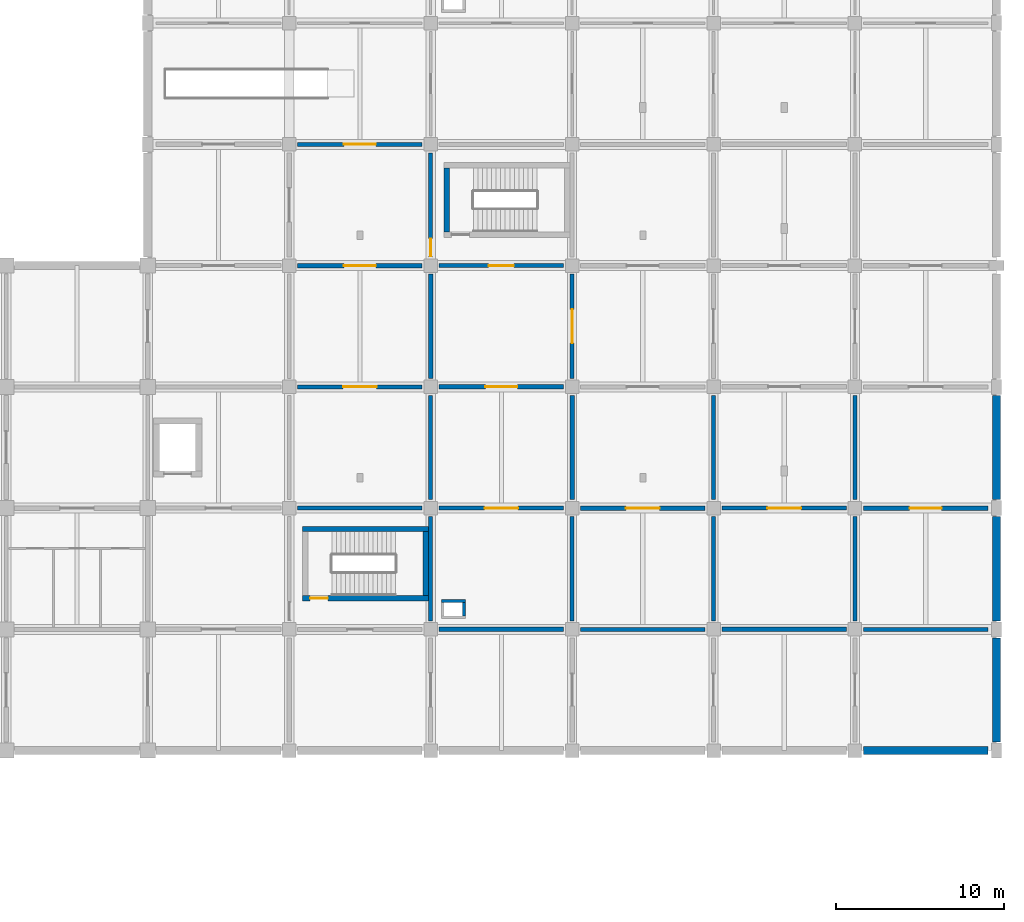
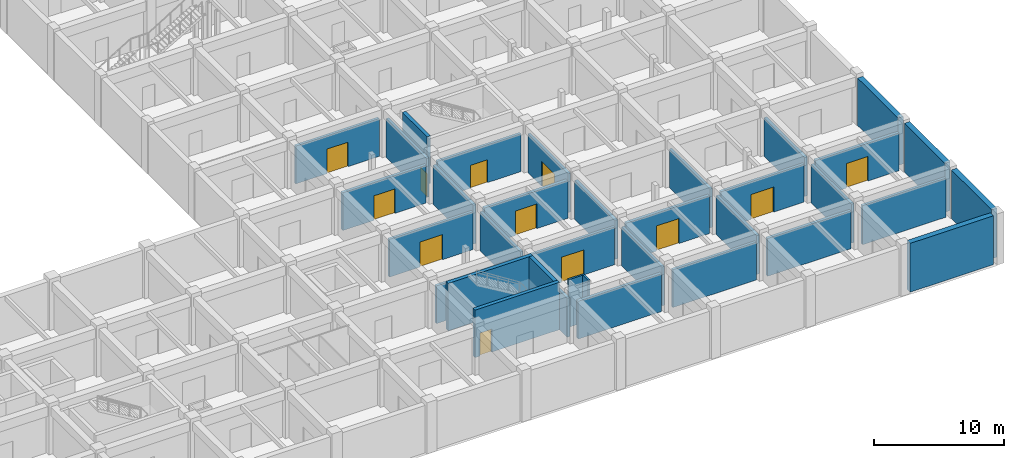
# One storey, part 26 of 32: 35 walls, 12 doors, 12 openings.
"""IFC4 building model written with IfcOpenShell, lengths in metres."""

from ifc_helpers import new_model, si_unit, derived_unit, direction, frame, frame_2d, origin, place, context, subcontext, project, spatial, rectangle, extrude, material, layer, layer_set, type_object, element, fill, save


model = new_model("IFC4")

# Units and contexts
model_context = context("Model", 3, precision=1e-05, world=origin(), true_north=direction((0.0, 1.0)))
body_context = subcontext(model_context, "Body", "Model", "MODEL_VIEW")
ifc_project = project(units=[si_unit("LENGTHUNIT", "METRE"), si_unit("AREAUNIT", "SQUARE_METRE"), si_unit("VOLUMEUNIT", "CUBIC_METRE"), si_unit("PLANEANGLEUNIT", "RADIAN"), si_unit("MASSUNIT", "GRAM", prefix="KILO"), derived_unit("THERMALTRANSMITTANCEUNIT", [(si_unit("MASSUNIT", "GRAM", prefix="KILO"), 1), (si_unit("TIMEUNIT", "SECOND"), -3), (si_unit("THERMODYNAMICTEMPERATUREUNIT", "KELVIN"), -1)])], contexts=[model_context])

# Site, building, storey
site_placement = place(None, origin())
site = spatial("IfcSite", under=ifc_project, at=site_placement, CompositionType="ELEMENT")
building_placement = place(site_placement, origin())
building = spatial("IfcBuilding", under=site, at=building_placement, Name="Veldstrom Oceanarium and Marine Research Institute", CompositionType="ELEMENT")
storey_placement = place(building_placement, frame((0.0, 0.0, -4.800048828125)))
storey = spatial("IfcBuildingStorey", under=building, at=storey_placement, Name="B01", CompositionType="ELEMENT", Elevation=-4.800048828125)

# Walls
ifc_material_1 = material(Name="Masonry Fire Compartment Wall", Category="masonry")
ifc_layer_1 = layer(ifc_material_1, 0.22998046875)
ifc_layer_set_1 = layer_set([ifc_layer_1], Name="ARC-WAL-PT1")
wall_type_1 = type_object("IfcWallType", Name="ARC-WAL-PT1", PredefinedType="PARTITIONING", material=ifc_layer_set_1)
wall_1_placement = place(storey_placement, frame((134.39990234375, 50.89990234375, 0.0), z_axis=(0.0, 0.0, 1.0), x_axis=(0.0, 1.0, 0.0)))
element("IfcWall", 1, at=wall_1_placement, inside=storey, type_object=wall_type_1, Name="Interior Partition PT1 B01-0484", PredefinedType="PARTITIONING", context=body_context, shape_type="SweptSolid", body=[
    extrude(rectangle(XDim=6.2001953125, YDim=0.22998046875, at=frame_2d((3.10009765625, 0.0))), origin(), (0.0, 0.0, 1.0), 3.64501953125),
])
wall_2_placement = place(storey_placement, frame((126.5, 57.60009765625, 0.0), z_axis=(0.0, 0.0, 1.0), x_axis=(1.0, 0.0, 0.0)))
element("IfcWall", 2, at=wall_2_placement, inside=storey, type_object=wall_type_1, Name="Interior Partition PT1 B01-0485", PredefinedType="PARTITIONING", context=body_context, shape_type="SweptSolid", body=[
    extrude(rectangle(XDim=7.39990234375, YDim=0.22998046875, at=frame_2d((3.699951171875, 0.0))), origin(), (0.0, 0.0, 1.0), 3.545166015625),
])
wall_3_placement = place(storey_placement, frame((134.39990234375, 58.10009765625, 0.0), z_axis=(0.0, 0.0, 1.0), x_axis=(0.0, 1.0, 0.0)))
element("IfcWall", 3, at=wall_3_placement, inside=storey, type_object=wall_type_1, Name="Interior Partition PT1 B01-0486", PredefinedType="PARTITIONING", context=body_context, shape_type="SweptSolid", body=[
    extrude(rectangle(XDim=6.199951171875, YDim=0.22998046875, at=frame_2d((3.10009765625, 0.0))), origin(), (0.0, 0.0, 1.0), 3.64501953125),
])

# Wall, opening, door
wall_4_placement = place(storey_placement, frame((126.5, 64.800048828125, 0.0), z_axis=(0.0, 0.0, 1.0), x_axis=(1.0, 0.0, 0.0)))
wall_4 = element("IfcWall", 4, at=wall_4_placement, inside=storey, type_object=wall_type_1, Name="Interior Partition PT1 B01-0487", PredefinedType="PARTITIONING", context=body_context, shape_type="SweptSolid", body=[
    extrude(rectangle(XDim=7.39990234375, YDim=0.22998046875, at=frame_2d((3.699951171875, 0.0))), origin(), (0.0, 0.0, 1.0), 3.545166015625),
])
opening_1_placement = place(wall_4_placement, frame((2.699951171875, 0.0, 0.0)))
opening_1 = element("IfcOpeningElement", 5, at=opening_1_placement, cuts=wall_4, Name="Opening D-B01-283", PredefinedType="OPENING", context=body_context, shape_type="SweptSolid", body=[
    extrude(rectangle(XDim=2.0, YDim=2.35009765625, at=frame_2d((1.0, 1.175048828125))), frame((0.0, 0.125, 0.0), z_axis=(0.0, -1.0, 0.0), x_axis=(1.0, 0.0, 0.0)), (0.0, 0.0, 1.0), 0.25),
])
ifc_material_2 = material(Name="Filtration Hall Double Door", Category="steel")
door_type_1 = type_object("IfcDoorType", Name="ARC-DOR-ID18", OperationType="DOUBLE_DOOR_SINGLE_SWING", PredefinedType="DOOR", material=ifc_material_2)
door_1_placement = place(opening_1_placement, origin())
door_1 = element("IfcDoor", 6, at=door_1_placement, inside=storey, type_object=door_type_1, Name="Interior Door D-B01-283", OperationType="DOUBLE_DOOR_SINGLE_SWING", OverallHeight=2.35009765625, OverallWidth=2.0, PredefinedType="DOOR", context=body_context, shape_type="SweptSolid", body=[
    extrude(rectangle(XDim=2.0, YDim=2.35009765625, at=frame_2d((1.0, 1.175048828125))), frame((0.0, 0.02490234375, 0.0), z_axis=(0.0, -1.0, 0.0), x_axis=(1.0, 0.0, 0.0)), (0.0, 0.0, 1.0), 0.050048828125),
])
fill(opening_1, door_1)

wall_5_placement = place(storey_placement, frame((134.39990234375, 72.5, 0.0), z_axis=(0.0, 0.0, 1.0), x_axis=(0.0, 1.0, 0.0)))
wall_5 = element("IfcWall", 7, at=wall_5_placement, inside=storey, type_object=wall_type_1, Name="Interior Partition PT1 B01-0490", PredefinedType="PARTITIONING", context=body_context, shape_type="SweptSolid", body=[
    extrude(rectangle(XDim=6.199951171875, YDim=0.22998046875, at=frame_2d((3.10009765625, 0.0))), origin(), (0.0, 0.0, 1.0), 3.64501953125),
])
opening_2_placement = place(wall_5_placement, frame((0.050048828125, 0.0, 0.0)))
opening_2 = element("IfcOpeningElement", 8, at=opening_2_placement, cuts=wall_5, Name="Opening D-B01-285", PredefinedType="OPENING", context=body_context, shape_type="SweptSolid", body=[
    extrude(rectangle(XDim=1.050048828125, YDim=2.14990234375, at=frame_2d((0.52490234375, 1.074951171875))), frame((0.0, 0.125, 0.0), z_axis=(0.0, -1.0, 0.0), x_axis=(1.0, 0.0, 0.0)), (0.0, 0.0, 1.0), 0.25),
])
ifc_material_3 = material(Name="Painted Steel Fire Door", Category="steel")
door_type_2 = type_object("IfcDoorType", Name="ARC-DOR-SD1", OperationType="SINGLE_SWING_LEFT", PredefinedType="DOOR", material=ifc_material_3)
door_2_placement = place(opening_2_placement, origin())
door_2 = element("IfcDoor", 9, at=door_2_placement, inside=storey, type_object=door_type_2, Name="Interior Door D-B01-285", OperationType="SINGLE_SWING_LEFT", OverallHeight=2.14990234375, OverallWidth=1.050048828125, PredefinedType="DOOR", context=body_context, shape_type="SweptSolid", body=[
    extrude(rectangle(XDim=1.050048828125, YDim=2.14990234375, at=frame_2d((0.52490234375, 1.074951171875))), frame((0.0, 0.02490234375, 0.0), z_axis=(0.0, -1.0, 0.0), x_axis=(1.0, 0.0, 0.0)), (0.0, 0.0, 1.0), 0.050048828125),
])
fill(opening_2, door_2)

wall_6_placement = place(storey_placement, frame((126.5, 79.199951171875, 0.0), z_axis=(0.0, 0.0, 1.0), x_axis=(1.0, 0.0, 0.0)))
wall_6 = element("IfcWall", 10, at=wall_6_placement, inside=storey, type_object=wall_type_1, Name="Interior Partition PT1 B01-0491", PredefinedType="PARTITIONING", context=body_context, shape_type="SweptSolid", body=[
    extrude(rectangle(XDim=7.39990234375, YDim=0.22998046875, at=frame_2d((3.699951171875, 0.0))), origin(), (0.0, 0.0, 1.0), 3.545166015625),
])
opening_3_placement = place(wall_6_placement, frame((2.75, 0.0, 0.0)))
opening_3 = element("IfcOpeningElement", 11, at=opening_3_placement, cuts=wall_6, Name="Opening D-B01-286", PredefinedType="OPENING", context=body_context, shape_type="SweptSolid", body=[
    extrude(rectangle(XDim=1.89990234375, YDim=2.300048828125, at=frame_2d((0.949951171875, 1.14990234375))), frame((0.0, 0.125, 0.0), z_axis=(0.0, -1.0, 0.0), x_axis=(1.0, 0.0, 0.0)), (0.0, 0.0, 1.0), 0.25),
])
ifc_material_4 = material(Name="Plant Hall Equipment Door", Category="steel")
door_type_3 = type_object("IfcDoorType", Name="ARC-DOR-ID12", OperationType="DOUBLE_DOOR_SINGLE_SWING", PredefinedType="DOOR", material=ifc_material_4)
door_3_placement = place(opening_3_placement, origin())
door_3 = element("IfcDoor", 12, at=door_3_placement, inside=storey, type_object=door_type_3, Name="Interior Door D-B01-286", OperationType="DOUBLE_DOOR_SINGLE_SWING", OverallHeight=2.300048828125, OverallWidth=1.89990234375, PredefinedType="DOOR", context=body_context, shape_type="SweptSolid", body=[
    extrude(rectangle(XDim=1.89990234375, YDim=2.300048828125, at=frame_2d((0.949951171875, 1.14990234375))), frame((0.0, 0.02490234375, 0.0), z_axis=(0.0, -1.0, 0.0), x_axis=(1.0, 0.0, 0.0)), (0.0, 0.0, 1.0), 0.050048828125),
])
fill(opening_3, door_3)

# Wall
wall_7_placement = place(storey_placement, frame((142.800048828125, 50.89990234375, 0.0), z_axis=(0.0, 0.0, 1.0), x_axis=(0.0, 1.0, 0.0)))
element("IfcWall", 13, at=wall_7_placement, inside=storey, type_object=wall_type_1, Name="Interior Partition PT1 B01-0503", PredefinedType="PARTITIONING", context=body_context, shape_type="SweptSolid", body=[
    extrude(rectangle(XDim=6.2001953125, YDim=0.22998046875, at=frame_2d((3.10009765625, 0.0))), origin(), (0.0, 0.0, 1.0), 3.64501953125),
])

# Wall, opening, door
wall_8_placement = place(storey_placement, frame((134.89990234375, 57.60009765625, 0.0), z_axis=(0.0, 0.0, 1.0), x_axis=(1.0, 0.0, 0.0)))
wall_8 = element("IfcWall", 14, at=wall_8_placement, inside=storey, type_object=wall_type_1, Name="Interior Partition PT1 B01-0504", PredefinedType="PARTITIONING", context=body_context, shape_type="SweptSolid", body=[
    extrude(rectangle(XDim=7.400146484375, YDim=0.22998046875, at=frame_2d((3.7001953125, 0.0))), origin(), (0.0, 0.0, 1.0), 3.545166015625),
])
opening_4_placement = place(wall_8_placement, frame((2.699951171875, 0.0, 0.0)))
opening_4 = element("IfcOpeningElement", 15, at=opening_4_placement, cuts=wall_8, Name="Opening D-B01-293", PredefinedType="OPENING", context=body_context, shape_type="SweptSolid", body=[
    extrude(rectangle(XDim=2.0, YDim=2.35009765625, at=frame_2d((1.0, 1.175048828125))), frame((0.0, 0.125, 0.0), z_axis=(0.0, -1.0, 0.0), x_axis=(1.0, 0.0, 0.0)), (0.0, 0.0, 1.0), 0.25),
])
door_4_placement = place(opening_4_placement, origin())
door_4 = element("IfcDoor", 16, at=door_4_placement, inside=storey, type_object=door_type_1, Name="Interior Door D-B01-293", OperationType="DOUBLE_DOOR_SINGLE_SWING", OverallHeight=2.35009765625, OverallWidth=2.0, PredefinedType="DOOR", context=body_context, shape_type="SweptSolid", body=[
    extrude(rectangle(XDim=2.0, YDim=2.35009765625, at=frame_2d((1.0, 1.175048828125))), frame((0.0, 0.02490234375, 0.0), z_axis=(0.0, -1.0, 0.0), x_axis=(1.0, 0.0, 0.0)), (0.0, 0.0, 1.0), 0.050048828125),
])
fill(opening_4, door_4)

wall_9_placement = place(storey_placement, frame((142.800048828125, 65.300048828125, 0.0), z_axis=(0.0, 0.0, 1.0), x_axis=(0.0, 1.0, 0.0)))
wall_9 = element("IfcWall", 17, at=wall_9_placement, inside=storey, type_object=wall_type_1, Name="Interior Partition PT1 B01-0507", PredefinedType="PARTITIONING", context=body_context, shape_type="SweptSolid", body=[
    extrude(rectangle(XDim=6.199951171875, YDim=0.22998046875, at=frame_2d((3.10009765625, 0.0))), origin(), (0.0, 0.0, 1.0), 3.64501953125),
])
opening_5_placement = place(wall_9_placement, frame((2.10009765625, 0.0, 0.0)))
opening_5 = element("IfcOpeningElement", 18, at=opening_5_placement, cuts=wall_9, Name="Opening D-B01-295", PredefinedType="OPENING", context=body_context, shape_type="SweptSolid", body=[
    extrude(rectangle(XDim=2.0, YDim=2.35009765625, at=frame_2d((1.0, 1.175048828125))), frame((0.0, 0.125, 0.0), z_axis=(0.0, -1.0, 0.0), x_axis=(1.0, 0.0, 0.0)), (0.0, 0.0, 1.0), 0.25),
])
door_5_placement = place(opening_5_placement, frame((2.0, 0.0, 0.0), z_axis=(0.0, 0.0, 1.0), x_axis=(-1.0, 0.0, 0.0)))
door_5 = element("IfcDoor", 19, at=door_5_placement, inside=storey, type_object=door_type_1, Name="Interior Door D-B01-295", OperationType="DOUBLE_DOOR_SINGLE_SWING", OverallHeight=2.35009765625, OverallWidth=2.0, PredefinedType="DOOR", context=body_context, shape_type="SweptSolid", body=[
    extrude(rectangle(XDim=2.0, YDim=2.35009765625, at=frame_2d((1.0, 1.175048828125))), frame((0.0, 0.02490234375, 0.0), z_axis=(0.0, -1.0, 0.0), x_axis=(1.0, 0.0, 0.0)), (0.0, 0.0, 1.0), 0.050048828125),
])
fill(opening_5, door_5)

wall_10_placement = place(storey_placement, frame((134.89990234375, 72.0, 0.0), z_axis=(0.0, 0.0, 1.0), x_axis=(1.0, 0.0, 0.0)))
wall_10 = element("IfcWall", 20, at=wall_10_placement, inside=storey, type_object=wall_type_1, Name="Interior Partition PT1 B01-0508", PredefinedType="PARTITIONING", context=body_context, shape_type="SweptSolid", body=[
    extrude(rectangle(XDim=7.400146484375, YDim=0.22998046875, at=frame_2d((3.7001953125, 0.0))), origin(), (0.0, 0.0, 1.0), 3.545166015625),
])
opening_6_placement = place(wall_10_placement, frame((2.949951171875, 0.0, 0.0)))
opening_6 = element("IfcOpeningElement", 21, at=opening_6_placement, cuts=wall_10, Name="Opening D-B01-296", PredefinedType="OPENING", context=body_context, shape_type="SweptSolid", body=[
    extrude(rectangle(XDim=1.5, YDim=2.14990234375, at=frame_2d((0.75, 1.074951171875))), frame((0.0, 0.125, 0.0), z_axis=(0.0, -1.0, 0.0), x_axis=(1.0, 0.0, 0.0)), (0.0, 0.0, 1.0), 0.25),
])
ifc_material_5 = material(Name="Painted Steel Lobby Fire Door", Category="steel")
door_type_4 = type_object("IfcDoorType", Name="ARC-DOR-SD2", OperationType="DOUBLE_DOOR_SINGLE_SWING", PredefinedType="DOOR", material=ifc_material_5)
door_6_placement = place(opening_6_placement, frame((1.5, 0.0, 0.0), z_axis=(0.0, 0.0, 1.0), x_axis=(-1.0, 0.0, 0.0)))
door_6 = element("IfcDoor", 22, at=door_6_placement, inside=storey, type_object=door_type_4, Name="Interior Door D-B01-296", OperationType="DOUBLE_DOOR_SINGLE_SWING", OverallHeight=2.14990234375, OverallWidth=1.5, PredefinedType="DOOR", context=body_context, shape_type="SweptSolid", body=[
    extrude(rectangle(XDim=1.5, YDim=2.14990234375, at=frame_2d((0.75, 1.074951171875))), frame((0.0, 0.02490234375, 0.0), z_axis=(0.0, -1.0, 0.0), x_axis=(1.0, 0.0, 0.0)), (0.0, 0.0, 1.0), 0.050048828125),
])
fill(opening_6, door_6)

# Walls
wall_11_placement = place(storey_placement, frame((143.300048828125, 50.39990234375, 0.0), z_axis=(0.0, 0.0, 1.0), x_axis=(1.0, 0.0, 0.0)))
element("IfcWall", 23, at=wall_11_placement, inside=storey, type_object=wall_type_1, Name="Interior Partition PT1 B01-0521", PredefinedType="PARTITIONING", context=body_context, shape_type="SweptSolid", body=[
    extrude(rectangle(XDim=7.39990234375, YDim=0.22998046875, at=frame_2d((3.699951171875, 0.0))), origin(), (0.0, 0.0, 1.0), 3.545166015625),
])
wall_12_placement = place(storey_placement, frame((151.199951171875, 58.10009765625, 0.0), z_axis=(0.0, 0.0, 1.0), x_axis=(0.0, 1.0, 0.0)))
element("IfcWall", 24, at=wall_12_placement, inside=storey, type_object=wall_type_1, Name="Interior Partition PT1 B01-0524", PredefinedType="PARTITIONING", context=body_context, shape_type="SweptSolid", body=[
    extrude(rectangle(XDim=6.199951171875, YDim=0.22998046875, at=frame_2d((3.10009765625, 0.0))), origin(), (0.0, 0.0, 1.0), 3.64501953125),
])
wall_13_placement = place(storey_placement, frame((159.60009765625, 50.89990234375, 0.0), z_axis=(0.0, 0.0, 1.0), x_axis=(0.0, 1.0, 0.0)))
element("IfcWall", 25, at=wall_13_placement, inside=storey, type_object=wall_type_1, Name="Interior Partition PT1 B01-0541", PredefinedType="PARTITIONING", context=body_context, shape_type="SweptSolid", body=[
    extrude(rectangle(XDim=6.2001953125, YDim=0.22998046875, at=frame_2d((3.10009765625, 0.0))), origin(), (0.0, 0.0, 1.0), 3.64501953125),
])

# Wall, opening, door
wall_14_placement = place(storey_placement, frame((151.699951171875, 57.60009765625, 0.0), z_axis=(0.0, 0.0, 1.0), x_axis=(1.0, 0.0, 0.0)))
wall_14 = element("IfcWall", 26, at=wall_14_placement, inside=storey, type_object=wall_type_1, Name="Interior Partition PT1 B01-0542", PredefinedType="PARTITIONING", context=body_context, shape_type="SweptSolid", body=[
    extrude(rectangle(XDim=7.400146484375, YDim=0.22998046875, at=frame_2d((3.7001953125, 0.0))), origin(), (0.0, 0.0, 1.0), 3.545166015625),
])
opening_7_placement = place(wall_14_placement, frame((2.699951171875, 0.0, 0.0)))
opening_7 = element("IfcOpeningElement", 27, at=opening_7_placement, cuts=wall_14, Name="Opening D-B01-313", PredefinedType="OPENING", context=body_context, shape_type="SweptSolid", body=[
    extrude(rectangle(XDim=2.0, YDim=2.35009765625, at=frame_2d((1.0, 1.175048828125))), frame((0.0, 0.125, 0.0), z_axis=(0.0, -1.0, 0.0), x_axis=(1.0, 0.0, 0.0)), (0.0, 0.0, 1.0), 0.25),
])
door_7_placement = place(opening_7_placement, origin())
door_7 = element("IfcDoor", 28, at=door_7_placement, inside=storey, type_object=door_type_1, Name="Interior Door D-B01-313", OperationType="DOUBLE_DOOR_SINGLE_SWING", OverallHeight=2.35009765625, OverallWidth=2.0, PredefinedType="DOOR", context=body_context, shape_type="SweptSolid", body=[
    extrude(rectangle(XDim=2.0, YDim=2.35009765625, at=frame_2d((1.0, 1.175048828125))), frame((0.0, 0.02490234375, 0.0), z_axis=(0.0, -1.0, 0.0), x_axis=(1.0, 0.0, 0.0)), (0.0, 0.0, 1.0), 0.050048828125),
])
fill(opening_7, door_7)

# Walls
wall_15_placement = place(storey_placement, frame((160.10009765625, 50.39990234375, 0.0), z_axis=(0.0, 0.0, 1.0), x_axis=(1.0, 0.0, 0.0)))
element("IfcWall", 29, at=wall_15_placement, inside=storey, type_object=wall_type_1, Name="Interior Partition PT1 B01-0557", PredefinedType="PARTITIONING", context=body_context, shape_type="SweptSolid", body=[
    extrude(rectangle(XDim=7.39990234375, YDim=0.22998046875, at=frame_2d((3.699951171875, 0.0))), origin(), (0.0, 0.0, 1.0), 3.670166015625),
])
ifc_material_6 = material(Name="Plant Acoustic Masonry Wall", Category="masonry")
ifc_layer_2 = layer(ifc_material_6, 0.260009765625)
ifc_layer_set_2 = layer_set([ifc_layer_2], Name="ARC-WAL-PT8")
wall_type_2 = type_object("IfcWallType", Name="ARC-WAL-PT8", PredefinedType="PARTITIONING", material=ifc_layer_set_2)
wall_16_placement = place(storey_placement, frame((134.39990234375, 65.300048828125, 0.0), z_axis=(0.0, 0.0, 1.0), x_axis=(0.0, 1.0, 0.0)))
element("IfcWall", 30, at=wall_16_placement, inside=storey, type_object=wall_type_2, Name="Interior Partition PT8 B01-0488", PredefinedType="PARTITIONING", context=body_context, shape_type="SweptSolid", body=[
    extrude(rectangle(XDim=6.199951171875, YDim=0.260009765625, at=frame_2d((3.10009765625, 0.0))), origin(), (0.0, 0.0, 1.0), 3.64501953125),
])

# Wall, opening, door
wall_17_placement = place(storey_placement, frame((126.5, 72.0, 0.0), z_axis=(0.0, 0.0, 1.0), x_axis=(1.0, 0.0, 0.0)))
wall_17 = element("IfcWall", 31, at=wall_17_placement, inside=storey, type_object=wall_type_2, Name="Interior Partition PT8 B01-0489", PredefinedType="PARTITIONING", context=body_context, shape_type="SweptSolid", body=[
    extrude(rectangle(XDim=7.39990234375, YDim=0.260009765625, at=frame_2d((3.699951171875, 0.0))), origin(), (0.0, 0.0, 1.0), 3.545166015625),
])
opening_8_placement = place(wall_17_placement, frame((2.75, 0.0, 0.0)))
opening_8 = element("IfcOpeningElement", 32, at=opening_8_placement, cuts=wall_17, Name="Opening D-B01-284", PredefinedType="OPENING", context=body_context, shape_type="SweptSolid", body=[
    extrude(rectangle(XDim=1.89990234375, YDim=2.300048828125, at=frame_2d((0.949951171875, 1.14990234375))), frame((0.0, 0.139892578125, 0.0), z_axis=(0.0, -1.0, 0.0), x_axis=(1.0, 0.0, 0.0)), (0.0, 0.0, 1.0), 0.280029296875),
])
door_8_placement = place(opening_8_placement, frame((1.89990234375, 0.0, 0.0), z_axis=(0.0, 0.0, 1.0), x_axis=(-1.0, 0.0, 0.0)))
door_8 = element("IfcDoor", 33, at=door_8_placement, inside=storey, type_object=door_type_3, Name="Interior Door D-B01-284", OperationType="DOUBLE_DOOR_SINGLE_SWING", OverallHeight=2.300048828125, OverallWidth=1.89990234375, PredefinedType="DOOR", context=body_context, shape_type="SweptSolid", body=[
    extrude(rectangle(XDim=1.89990234375, YDim=2.300048828125, at=frame_2d((0.949951171875, 1.14990234375))), frame((0.0, 0.02490234375, 0.0), z_axis=(0.0, -1.0, 0.0), x_axis=(1.0, 0.0, 0.0)), (0.0, 0.0, 1.0), 0.050048828125),
])
fill(opening_8, door_8)

# Walls
wall_18_placement = place(storey_placement, frame((134.89990234375, 50.39990234375, 0.0), z_axis=(0.0, 0.0, 1.0), x_axis=(1.0, 0.0, 0.0)))
element("IfcWall", 34, at=wall_18_placement, inside=storey, type_object=wall_type_2, Name="Interior Partition PT8 B01-0502", PredefinedType="PARTITIONING", context=body_context, shape_type="SweptSolid", body=[
    extrude(rectangle(XDim=7.400146484375, YDim=0.260009765625, at=frame_2d((3.7001953125, 0.0))), origin(), (0.0, 0.0, 1.0), 3.545166015625),
])
wall_19_placement = place(storey_placement, frame((142.800048828125, 58.10009765625, 0.0), z_axis=(0.0, 0.0, 1.0), x_axis=(0.0, 1.0, 0.0)))
element("IfcWall", 35, at=wall_19_placement, inside=storey, type_object=wall_type_2, Name="Interior Partition PT8 B01-0505", PredefinedType="PARTITIONING", context=body_context, shape_type="SweptSolid", body=[
    extrude(rectangle(XDim=6.199951171875, YDim=0.260009765625, at=frame_2d((3.10009765625, 0.0))), origin(), (0.0, 0.0, 1.0), 3.64501953125),
])

# Wall, opening, door
wall_20_placement = place(storey_placement, frame((134.89990234375, 64.800048828125, 0.0), z_axis=(0.0, 0.0, 1.0), x_axis=(1.0, 0.0, 0.0)))
wall_20 = element("IfcWall", 36, at=wall_20_placement, inside=storey, type_object=wall_type_2, Name="Interior Partition PT8 B01-0506", PredefinedType="PARTITIONING", context=body_context, shape_type="SweptSolid", body=[
    extrude(rectangle(XDim=7.400146484375, YDim=0.260009765625, at=frame_2d((3.7001953125, 0.0))), origin(), (0.0, 0.0, 1.0), 3.545166015625),
])
opening_9_placement = place(wall_20_placement, frame((2.75, 0.0, 0.0)))
opening_9 = element("IfcOpeningElement", 37, at=opening_9_placement, cuts=wall_20, Name="Opening D-B01-294", PredefinedType="OPENING", context=body_context, shape_type="SweptSolid", body=[
    extrude(rectangle(XDim=1.89990234375, YDim=2.300048828125, at=frame_2d((0.949951171875, 1.14990234375))), frame((0.0, 0.139892578125, 0.0), z_axis=(0.0, -1.0, 0.0), x_axis=(1.0, 0.0, 0.0)), (0.0, 0.0, 1.0), 0.280029296875),
])
door_9_placement = place(opening_9_placement, frame((1.89990234375, 0.0, 0.0), z_axis=(0.0, 0.0, 1.0), x_axis=(-1.0, 0.0, 0.0)))
door_9 = element("IfcDoor", 38, at=door_9_placement, inside=storey, type_object=door_type_3, Name="Interior Door D-B01-294", OperationType="DOUBLE_DOOR_SINGLE_SWING", OverallHeight=2.300048828125, OverallWidth=1.89990234375, PredefinedType="DOOR", context=body_context, shape_type="SweptSolid", body=[
    extrude(rectangle(XDim=1.89990234375, YDim=2.300048828125, at=frame_2d((0.949951171875, 1.14990234375))), frame((0.0, 0.02490234375, 0.0), z_axis=(0.0, -1.0, 0.0), x_axis=(1.0, 0.0, 0.0)), (0.0, 0.0, 1.0), 0.050048828125),
])
fill(opening_9, door_9)

# Wall
wall_21_placement = place(storey_placement, frame((151.199951171875, 50.89990234375, 0.0), z_axis=(0.0, 0.0, 1.0), x_axis=(0.0, 1.0, 0.0)))
element("IfcWall", 39, at=wall_21_placement, inside=storey, type_object=wall_type_2, Name="Interior Partition PT8 B01-0522", PredefinedType="PARTITIONING", context=body_context, shape_type="SweptSolid", body=[
    extrude(rectangle(XDim=6.2001953125, YDim=0.260009765625, at=frame_2d((3.10009765625, 0.0))), origin(), (0.0, 0.0, 1.0), 3.64501953125),
])

# Wall, opening, door
wall_22_placement = place(storey_placement, frame((143.300048828125, 57.60009765625, 0.0), z_axis=(0.0, 0.0, 1.0), x_axis=(1.0, 0.0, 0.0)))
wall_22 = element("IfcWall", 40, at=wall_22_placement, inside=storey, type_object=wall_type_2, Name="Interior Partition PT8 B01-0523", PredefinedType="PARTITIONING", context=body_context, shape_type="SweptSolid", body=[
    extrude(rectangle(XDim=7.39990234375, YDim=0.260009765625, at=frame_2d((3.699951171875, 0.0))), origin(), (0.0, 0.0, 1.0), 3.545166015625),
])
opening_10_placement = place(wall_22_placement, frame((2.699951171875, 0.0, 0.0)))
opening_10 = element("IfcOpeningElement", 41, at=opening_10_placement, cuts=wall_22, Name="Opening D-B01-303", PredefinedType="OPENING", context=body_context, shape_type="SweptSolid", body=[
    extrude(rectangle(XDim=2.0, YDim=2.35009765625, at=frame_2d((1.0, 1.175048828125))), frame((0.0, 0.139892578125, 0.0), z_axis=(0.0, -1.0, 0.0), x_axis=(1.0, 0.0, 0.0)), (0.0, 0.0, 1.0), 0.280029296875),
])
door_10_placement = place(opening_10_placement, frame((2.0, 0.0, 0.0), z_axis=(0.0, 0.0, 1.0), x_axis=(-1.0, 0.0, 0.0)))
door_10 = element("IfcDoor", 42, at=door_10_placement, inside=storey, type_object=door_type_1, Name="Interior Door D-B01-303", OperationType="DOUBLE_DOOR_SINGLE_SWING", OverallHeight=2.35009765625, OverallWidth=2.0, PredefinedType="DOOR", context=body_context, shape_type="SweptSolid", body=[
    extrude(rectangle(XDim=2.0, YDim=2.35009765625, at=frame_2d((1.0, 1.175048828125))), frame((0.0, 0.02490234375, 0.0), z_axis=(0.0, -1.0, 0.0), x_axis=(1.0, 0.0, 0.0)), (0.0, 0.0, 1.0), 0.050048828125),
])
fill(opening_10, door_10)

# Walls
wall_23_placement = place(storey_placement, frame((151.699951171875, 50.39990234375, 0.0), z_axis=(0.0, 0.0, 1.0), x_axis=(1.0, 0.0, 0.0)))
element("IfcWall", 43, at=wall_23_placement, inside=storey, type_object=wall_type_2, Name="Interior Partition PT8 B01-0540", PredefinedType="PARTITIONING", context=body_context, shape_type="SweptSolid", body=[
    extrude(rectangle(XDim=7.400146484375, YDim=0.260009765625, at=frame_2d((3.7001953125, 0.0))), origin(), (0.0, 0.0, 1.0), 3.545166015625),
])
wall_24_placement = place(storey_placement, frame((159.60009765625, 58.10009765625, 0.0), z_axis=(0.0, 0.0, 1.0), x_axis=(0.0, 1.0, 0.0)))
element("IfcWall", 44, at=wall_24_placement, inside=storey, type_object=wall_type_2, Name="Interior Partition PT8 B01-0543", PredefinedType="PARTITIONING", context=body_context, shape_type="SweptSolid", body=[
    extrude(rectangle(XDim=6.199951171875, YDim=0.260009765625, at=frame_2d((3.10009765625, 0.0))), origin(), (0.0, 0.0, 1.0), 3.64501953125),
])

# Wall, opening, door
wall_25_placement = place(storey_placement, frame((160.10009765625, 57.60009765625, 0.0), z_axis=(0.0, 0.0, 1.0), x_axis=(1.0, 0.0, 0.0)))
wall_25 = element("IfcWall", 45, at=wall_25_placement, inside=storey, type_object=wall_type_2, Name="Interior Partition PT8 B01-0558", PredefinedType="PARTITIONING", context=body_context, shape_type="SweptSolid", body=[
    extrude(rectangle(XDim=7.39990234375, YDim=0.260009765625, at=frame_2d((3.699951171875, 0.0))), origin(), (0.0, 0.0, 1.0), 3.545166015625),
])
opening_11_placement = place(wall_25_placement, frame((2.75, 0.0, 0.0)))
opening_11 = element("IfcOpeningElement", 46, at=opening_11_placement, cuts=wall_25, Name="Opening D-B01-322", PredefinedType="OPENING", context=body_context, shape_type="SweptSolid", body=[
    extrude(rectangle(XDim=1.89990234375, YDim=2.300048828125, at=frame_2d((0.949951171875, 1.14990234375))), frame((0.0, 0.139892578125, 0.0), z_axis=(0.0, -1.0, 0.0), x_axis=(1.0, 0.0, 0.0)), (0.0, 0.0, 1.0), 0.280029296875),
])
door_11_placement = place(opening_11_placement, frame((1.89990234375, 0.0, 0.0), z_axis=(0.0, 0.0, 1.0), x_axis=(-1.0, 0.0, 0.0)))
door_11 = element("IfcDoor", 47, at=door_11_placement, inside=storey, type_object=door_type_3, Name="Interior Door D-B01-322", OperationType="DOUBLE_DOOR_SINGLE_SWING", OverallHeight=2.300048828125, OverallWidth=1.89990234375, PredefinedType="DOOR", context=body_context, shape_type="SweptSolid", body=[
    extrude(rectangle(XDim=1.89990234375, YDim=2.300048828125, at=frame_2d((0.949951171875, 1.14990234375))), frame((0.0, 0.02490234375, 0.0), z_axis=(0.0, -1.0, 0.0), x_axis=(1.0, 0.0, 0.0)), (0.0, 0.0, 1.0), 0.050048828125),
])
fill(opening_11, door_11)

# Walls
ifc_material_7 = material(Name="Service Riser Fire Shaft Wall", Category="masonry")
ifc_layer_3 = layer(ifc_material_7, 0.1650390625)
ifc_layer_set_3 = layer_set([ifc_layer_3], Name="ARC-WAL-PT9")
wall_type_3 = type_object("IfcWallType", Name="ARC-WAL-PT9", PredefinedType="PARTITIONING", material=ifc_layer_set_3)
wall_26_placement = place(storey_placement, frame((135.034912109375, 52.08251953125, 0.0), z_axis=(0.0, 0.0, 1.0), x_axis=(1.0, 0.0, 0.0)))
element("IfcWall", 48, at=wall_26_placement, inside=storey, type_object=wall_type_3, Name="Service Riser Fire Shaft Wall B01-ES-N", PredefinedType="PARTITIONING", context=body_context, shape_type="SweptSolid", body=[
    extrude(rectangle(XDim=1.43017578125, YDim=0.1650390625, at=frame_2d((0.715087890625, 0.0))), origin(), (0.0, 0.0, 1.0), 4.449951171875),
])
wall_27_placement = place(storey_placement, frame((136.382568359375, 51.199951171875, 0.0), z_axis=(0.0, 0.0, 1.0), x_axis=(0.0, 1.0, 0.0)))
element("IfcWall", 49, at=wall_27_placement, inside=storey, type_object=wall_type_3, Name="Service Riser Fire Shaft Wall B01-ES-E", PredefinedType="PARTITIONING", context=body_context, shape_type="SweptSolid", body=[
    extrude(rectangle(XDim=0.800048828125, YDim=0.1650390625, at=frame_2d((0.39990234375, 0.0))), origin(), (0.0, 0.0, 1.0), 4.449951171875),
])

# Wall, opening, door
ifc_material_8 = material(Name="Concrete C40/50", Category="concrete")
ifc_layer_4 = layer(ifc_material_8, 0.320068359375)
ifc_layer_set_4 = layer_set([ifc_layer_4], Name="STR-WAL-WC3")
wall_type_4 = type_object("IfcWallType", Name="STR-WAL-WC3", PredefinedType="SHEAR", material=ifc_layer_set_4)
wall_28_placement = place(storey_placement, frame((126.800048828125, 52.239990234375, 0.0), z_axis=(0.0, 0.0, 1.0), x_axis=(1.0, 0.0, 0.0)))
wall_28 = element("IfcWall", 50, at=wall_28_placement, inside=storey, type_object=wall_type_4, Name="Stair Core Shear Wall SC4-B01-S", PredefinedType="SHEAR", context=body_context, shape_type="SweptSolid", body=[
    extrude(rectangle(XDim=7.47998046875, YDim=0.320068359375, at=frame_2d((3.739990234375, 0.0))), origin(), (0.0, 0.0, 1.0), 4.449951171875),
])
opening_12_placement = place(wall_28_placement, frame((0.449951171875, 0.0, 0.0)))
opening_12 = element("IfcOpeningElement", 51, at=opening_12_placement, cuts=wall_28, Name="Opening D-ST4-B01", PredefinedType="OPENING", context=body_context, shape_type="SweptSolid", body=[
    extrude(rectangle(XDim=1.050048828125, YDim=2.14990234375, at=frame_2d((0.52490234375, 1.074951171875))), frame((0.0, 0.169921875, 0.0), z_axis=(0.0, -1.0, 0.0), x_axis=(1.0, 0.0, 0.0)), (0.0, 0.0, 1.0), 0.340087890625),
])
door_12_placement = place(opening_12_placement, origin())
door_12 = element("IfcDoor", 52, at=door_12_placement, inside=storey, type_object=door_type_2, Name="Escape Stair Fire Door D-ST4-B01", OperationType="SINGLE_SWING_LEFT", OverallHeight=2.14990234375, OverallWidth=1.050048828125, PredefinedType="DOOR", context=body_context, shape_type="SweptSolid", body=[
    extrude(rectangle(XDim=1.050048828125, YDim=2.14990234375, at=frame_2d((0.52490234375, 1.074951171875))), frame((0.0, 0.02490234375, 0.0), z_axis=(0.0, -1.0, 0.0), x_axis=(1.0, 0.0, 0.0)), (0.0, 0.0, 1.0), 0.050048828125),
])
fill(opening_12, door_12)

# Walls
wall_29_placement = place(storey_placement, frame((126.800048828125, 56.360107421875, 0.0), z_axis=(0.0, 0.0, 1.0), x_axis=(1.0, 0.0, 0.0)))
element("IfcWall", 53, at=wall_29_placement, inside=storey, type_object=wall_type_4, Name="Stair Core Shear Wall SC4-B01-N", PredefinedType="SHEAR", context=body_context, shape_type="SweptSolid", body=[
    extrude(rectangle(XDim=7.47998046875, YDim=0.320068359375, at=frame_2d((3.739990234375, 0.0))), origin(), (0.0, 0.0, 1.0), 4.449951171875),
])
for number, where, z_axis, x_axis, name in (
    (54, (134.1201171875, 52.39990234375, 0.0), (0.0, 0.0, 1.0), (0.0, 1.0, 0.0), "Stair Core Shear Wall SC4-B01-E"),
    (55, (135.360107421875, 74.0, 0.0), (0.0, 0.0, 1.0), (0.0, 1.0, 0.0), "Stair Core Shear Wall SC6-B01-W"),
):
    element("IfcWall", number, at=place(storey_placement, frame(where, z_axis=z_axis, x_axis=x_axis)), inside=storey, type_object=wall_type_4, Name=name, PredefinedType="SHEAR", context=body_context, shape_type="SweptSolid", body=[
        extrude(rectangle(XDim=3.800048828125, YDim=0.320068359375, at=frame_2d((1.89990234375, 0.0))), origin(), (0.0, 0.0, 1.0), 4.449951171875),
    ])
ifc_material_9 = material(Name="Concrete C40/50", Category="concrete")
ifc_layer_5 = layer(ifc_material_9, 0.47998046875)
ifc_layer_set_5 = layer_set([ifc_layer_5], Name="STR-WAL-WR2")
wall_type_5 = type_object("IfcWallType", Name="STR-WAL-WR2", PredefinedType="USERDEFINED", material=ifc_layer_set_5)
wall_30_placement = place(storey_placement, frame((160.10009765625, 43.199951171875, 0.0), z_axis=(0.0, 0.0, 1.0), x_axis=(1.0, 0.0, 0.0)))
element("IfcWall", 56, at=wall_30_placement, inside=storey, type_object=wall_type_5, Name="Basement Retaining Wall WR2-B01-062", ObjectType="Retaining wall", PredefinedType="USERDEFINED", context=body_context, shape_type="SweptSolid", body=[
    extrude(rectangle(XDim=7.39990234375, YDim=0.47998046875, at=frame_2d((3.699951171875, 0.0))), origin(), (0.0, 0.0, 1.0), 4.574951171875),
])
wall_31_placement = place(storey_placement, frame((168.0, 43.699951171875, 0.0), z_axis=(0.0, 0.0, 1.0), x_axis=(0.0, 1.0, 0.0)))
element("IfcWall", 57, at=wall_31_placement, inside=storey, type_object=wall_type_5, Name="Basement Retaining Wall WR2-B01-063", ObjectType="Retaining wall", PredefinedType="USERDEFINED", context=body_context, shape_type="SweptSolid", body=[
    extrude(rectangle(XDim=6.199951171875, YDim=0.47998046875, at=frame_2d((3.10009765625, 0.0))), origin(), (0.0, 0.0, 1.0), 4.574951171875),
])
wall_32_placement = place(storey_placement, frame((168.0, 50.89990234375, 0.0), z_axis=(0.0, 0.0, 1.0), x_axis=(0.0, 1.0, 0.0)))
element("IfcWall", 58, at=wall_32_placement, inside=storey, type_object=wall_type_5, Name="Basement Retaining Wall WR2-B01-064", ObjectType="Retaining wall", PredefinedType="USERDEFINED", context=body_context, shape_type="SweptSolid", body=[
    extrude(rectangle(XDim=6.2001953125, YDim=0.47998046875, at=frame_2d((3.10009765625, 0.0))), origin(), (0.0, 0.0, 1.0), 4.574951171875),
])
wall_33_placement = place(storey_placement, frame((168.0, 58.10009765625, 0.0), z_axis=(0.0, 0.0, 1.0), x_axis=(0.0, 1.0, 0.0)))
element("IfcWall", 59, at=wall_33_placement, inside=storey, type_object=wall_type_5, Name="Basement Retaining Wall WR2-B01-065", ObjectType="Retaining wall", PredefinedType="USERDEFINED", context=body_context, shape_type="SweptSolid", body=[
    extrude(rectangle(XDim=6.199951171875, YDim=0.47998046875, at=frame_2d((3.10009765625, 0.0))), origin(), (0.0, 0.0, 1.0), 4.449951171875),
])

save(model, "model.ifc")
